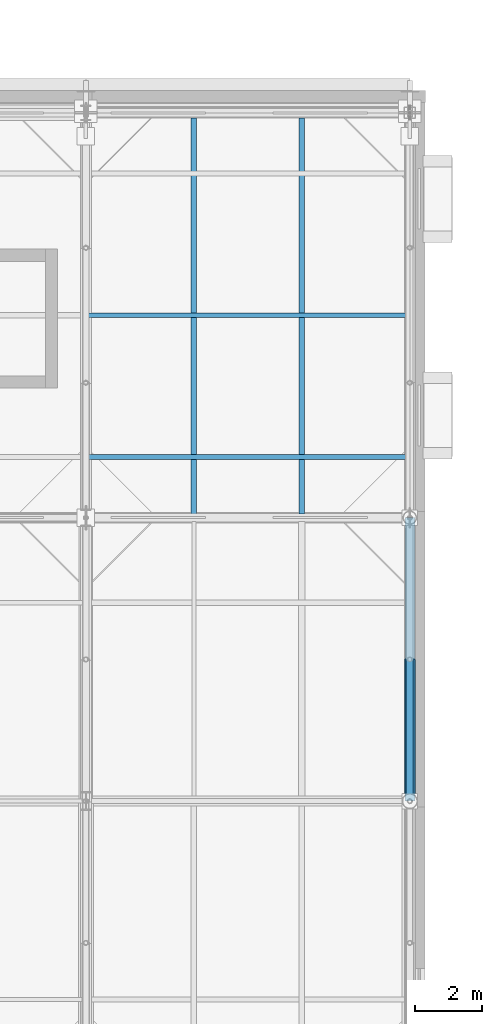
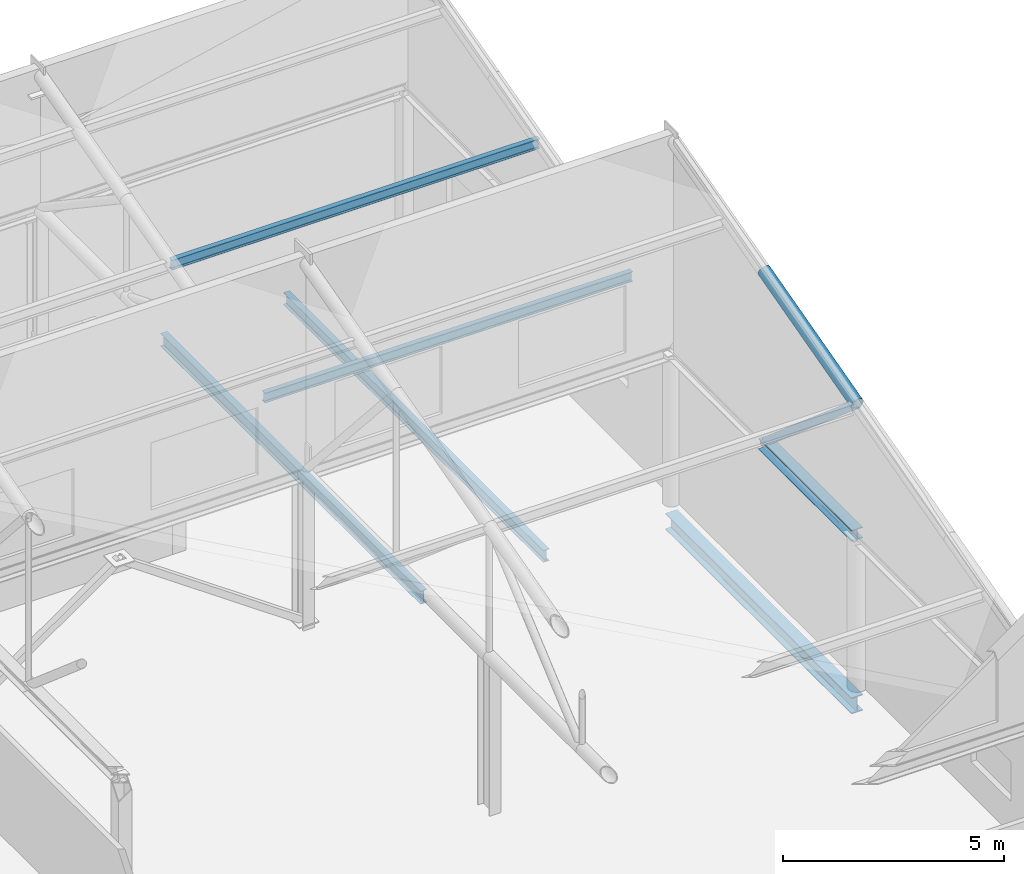
# One storey, part 55 of 89: 5 members, 3 beams.
"""IFC4 building model written with IfcOpenShell, lengths in metres."""

from ifc_helpers import new_model, si_unit, direction, frame, origin, origin_2d, place, context, subcontext, project, spatial, hollow_circle, i_section, extrude, material, material_profile, profile_set, type_object, element, save


model = new_model("IFC4")

# Units and contexts
model_context = context("Model", 3, precision=1e-05, world=origin(), true_north=direction((0.0, 1.0)))
body_context = subcontext(model_context, "Body", "Model", "MODEL_VIEW")
ifc_project = project(units=[si_unit("LENGTHUNIT", "METRE"), si_unit("AREAUNIT", "SQUARE_METRE"), si_unit("VOLUMEUNIT", "CUBIC_METRE"), si_unit("PLANEANGLEUNIT", "RADIAN"), si_unit("MASSUNIT", "GRAM", prefix="KILO")], contexts=[model_context])

# Site, building, storey
site_placement = place(None, origin())
site = spatial("IfcSite", under=ifc_project, at=site_placement, CompositionType="ELEMENT")
building_placement = place(site_placement, origin())
building = spatial("IfcBuilding", under=site, at=building_placement, Name="Zereglee Splitstone Museum", CompositionType="ELEMENT")
storey_placement = place(building_placement, frame((0.0, 0.0, 21.300048828125)))
storey = spatial("IfcBuildingStorey", under=building, at=storey_placement, Name="L04", CompositionType="ELEMENT", Elevation=21.300048828125)

# Members
ifc_material_1 = material(Name="Steel S355J2H", Category="steel")
ifc_material_profile_1 = material_profile(ifc_material_1, hollow_circle(Radius=0.109619140625, WallThickness=0.010009765625, at=origin_2d()), Name="CHS 219.1x10")
ifc_profile_set_1 = profile_set([ifc_material_profile_1], Name="Steel S355J2H")
member_type_1 = type_object("IfcMemberType", Name="TB-03", PredefinedType="BRACE", material=ifc_profile_set_1)
member_1_placement = place(storey_placement, frame((145.199951171875, 34.199951171875, 4.199951171875), z_axis=(0.0, -0.759244140748, 0.650805911728), x_axis=(1.0, 0.0, 0.0)))
element("IfcMember", 1, at=member_1_placement, inside=storey, type_object=member_type_1, Name="Roof Truss ST-08 Diagonal 2.3", PredefinedType="BRACE", context=body_context, shape_type="SweptSolid", body=[
    extrude(hollow_circle(Radius=0.109619140625, WallThickness=0.010009765625, at=origin_2d()), origin(), (0.0, 0.0, 1.0), 5.53173828125),
])
ifc_material_profile_2 = material_profile(ifc_material_1, hollow_circle(Radius=0.161865234375, WallThickness=0.01611328125, at=origin_2d()), Name="CHS 323.9x16")
ifc_profile_set_2 = profile_set([ifc_material_profile_2], Name="Steel S355J2H")
member_type_2 = type_object("IfcMemberType", Name="TC-05", PredefinedType="CHORD", material=ifc_profile_set_2)
member_2_placement = place(storey_placement, frame((145.199951171875, 30.0, 7.800048828125), z_axis=(0.0, 0.965947299715, 0.258738891884), x_axis=(-1.0, 0.0, 0.0)))
element("IfcMember", 2, at=member_2_placement, inside=storey, type_object=member_type_2, Name="Roof Truss ST-08 Top Chord 2.3", PredefinedType="CHORD", context=body_context, shape_type="SweptSolid", body=[
    extrude(hollow_circle(Radius=0.161865234375, WallThickness=0.01611328125, at=origin_2d()), origin(), (0.0, 0.0, 1.0), 4.347900390625),
])
ifc_material_2 = material(Name="Steel S355J2", Category="steel")
ifc_material_profile_3 = material_profile(ifc_material_2, i_section(OverallWidth=0.300048828125, OverallDepth=0.300048828125, WebThickness=0.010986328125, FlangeThickness=0.01904296875, FilletRadius=0.027099609375, at=origin_2d()), Name="HE 300 B")
ifc_profile_set_3 = profile_set([ifc_material_profile_3], Name="Steel S355J2")
member_type_3 = type_object("IfcMemberType", Name="TC-07", PredefinedType="CHORD", material=ifc_profile_set_3)
member_3_placement = place(storey_placement, frame((145.199951171875, 30.0, 4.199951171875), z_axis=(0.0, 1.0, 0.0), x_axis=(-1.0, 0.0, 0.0)))
element("IfcMember", 3, at=member_3_placement, inside=storey, type_object=member_type_3, Name="Roof Truss ST-08 Bottom Chord 2.3", PredefinedType="CHORD", context=body_context, shape_type="SweptSolid", body=[
    extrude(i_section(OverallWidth=0.300048828125, OverallDepth=0.300048828125, WebThickness=0.010986328125, FlangeThickness=0.01904296875, FilletRadius=0.027099609375, at=origin_2d()), origin(), (0.0, 0.0, 1.0), 4.199951171875),
])

# Beams
ifc_material_profile_4 = material_profile(ifc_material_2, i_section(OverallWidth=0.159912109375, OverallDepth=0.330078125, WebThickness=0.007568359375, FlangeThickness=0.011474609375, FilletRadius=0.01806640625, at=origin_2d()), Name="IPE 330")
ifc_profile_set_4 = profile_set([ifc_material_profile_4], Name="Steel S355J2")
beam_type_1 = type_object("IfcBeamType", Name="BJ-05", PredefinedType="JOIST", material=ifc_profile_set_4)
beam_1_placement = place(storey_placement, frame((142.0, 38.5048828125, -0.425048828125), z_axis=(0.0, 1.0, 0.0), x_axis=(-1.0, 0.0, 0.0)))
element("IfcBeam", 4, at=beam_1_placement, inside=storey, type_object=beam_type_1, Name="Secondary Floor Joist L04-1558", PredefinedType="JOIST", context=body_context, shape_type="SweptSolid", body=[
    extrude(i_section(OverallWidth=0.159912109375, OverallDepth=0.330078125, WebThickness=0.007568359375, FlangeThickness=0.011474609375, FilletRadius=0.01806640625, at=origin_2d()), origin(), (0.0, 0.0, 1.0), 11.7451171875),
])
ifc_material_profile_5 = material_profile(ifc_material_2, i_section(OverallWidth=0.169921875, OverallDepth=0.360107421875, WebThickness=0.008056640625, FlangeThickness=0.0126953125, FilletRadius=0.01806640625, at=origin_2d()), Name="IPE 360")
ifc_profile_set_5 = profile_set([ifc_material_profile_5], Name="Steel S355J2")
beam_type_2 = type_object("IfcBeamType", Name="BJ-04", PredefinedType="JOIST", material=ifc_profile_set_5)
beam_2_placement = place(storey_placement, frame((138.800048828125, 38.5048828125, -0.43994140625), z_axis=(0.0, 1.0, 0.0), x_axis=(-1.0, 0.0, 0.0)))
element("IfcBeam", 5, at=beam_2_placement, inside=storey, type_object=beam_type_2, Name="Secondary Floor Joist L04-1557", PredefinedType="JOIST", context=body_context, shape_type="SweptSolid", body=[
    extrude(i_section(OverallWidth=0.169921875, OverallDepth=0.360107421875, WebThickness=0.008056640625, FlangeThickness=0.0126953125, FilletRadius=0.01806640625, at=origin_2d()), origin(), (0.0, 0.0, 1.0), 11.7451171875),
])

# Members
ifc_material_profile_6 = material_profile(ifc_material_2, i_section(OverallWidth=0.135009765625, OverallDepth=0.27001953125, WebThickness=0.006591796875, FlangeThickness=0.01025390625, FilletRadius=0.014892578125, at=origin_2d()), Name="IPE 270")
ifc_profile_set_6 = profile_set([ifc_material_profile_6], Name="Steel S355J2")
member_type_4 = type_object("IfcMemberType", Name="PR-02", PredefinedType="PURLIN", material=ifc_profile_set_6)
for number, where, z_axis, x_axis, name in (
    (6, (135.60009765625, 40.199951171875, 5.168701171875), (1.0, 0.0, 0.0), (0.0, 1.0, 0.0), "Sawtooth Roof Purlin B7-S3-1"),
    (7, (135.60009765625, 44.39990234375, 6.28857421875), (1.0, 0.0, 0.0), (0.0, 1.0, 0.0), "Sawtooth Roof Purlin B7-S3-2"),
):
    element("IfcMember", number, at=place(storey_placement, frame(where, z_axis=z_axis, x_axis=x_axis)), inside=storey, type_object=member_type_4, Name=name, PredefinedType="PURLIN", context=body_context, shape_type="SweptSolid", body=[
        extrude(i_section(OverallWidth=0.135009765625, OverallDepth=0.27001953125, WebThickness=0.006591796875, FlangeThickness=0.01025390625, FilletRadius=0.014892578125, at=origin_2d()), origin(), (0.0, 0.0, 1.0), 9.599853515625),
    ])

# Beam
ifc_material_profile_7 = material_profile(ifc_material_2, i_section(OverallWidth=0.300048828125, OverallDepth=0.449951171875, WebThickness=0.013916015625, FlangeThickness=0.02587890625, FilletRadius=0.027099609375, at=origin_2d()), Name="HE 450 B")
ifc_profile_set_7 = profile_set([ifc_material_profile_7], Name="Steel S355J2")
beam_type_3 = type_object("IfcBeamType", Name="SP-02", PredefinedType="SPANDREL", material=ifc_profile_set_7)
beam_3_placement = place(storey_placement, frame((145.199951171875, 30.0, -0.485107421875), z_axis=(0.0, 1.0, 0.0), x_axis=(-1.0, 0.0, 0.0)))
element("IfcBeam", 8, at=beam_3_placement, inside=storey, type_object=beam_type_3, Name="Primary Girder L04 17 (30.0-38.4)", PredefinedType="SPANDREL", context=body_context, shape_type="SweptSolid", body=[
    extrude(i_section(OverallWidth=0.300048828125, OverallDepth=0.449951171875, WebThickness=0.013916015625, FlangeThickness=0.02587890625, FilletRadius=0.027099609375, at=origin_2d()), origin(), (0.0, 0.0, 1.0), 8.39990234375),
])

save(model, "model.ifc")
